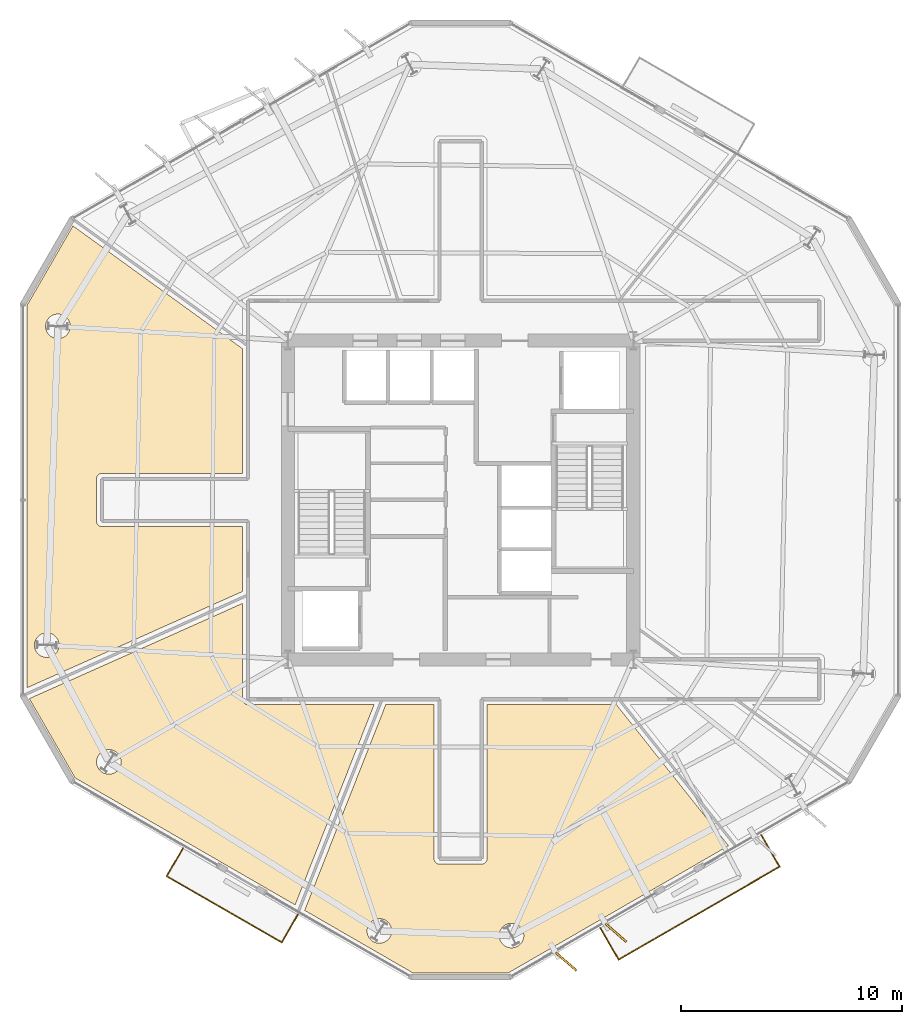
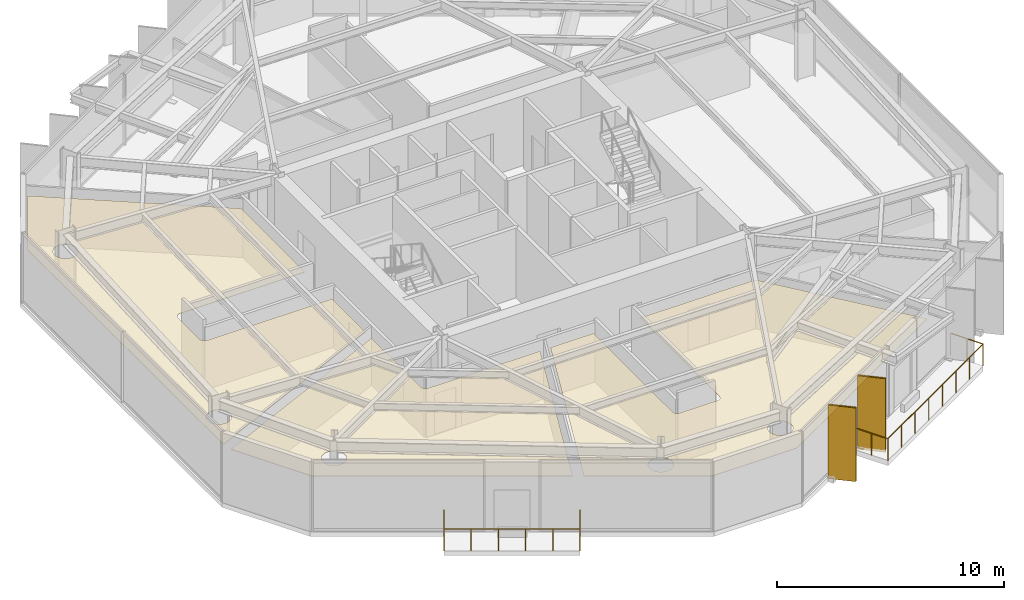
# One storey, part 9 of 11: 5 coverings, 2 railings, 2 shading devices.
"""IFC4 building model written with IfcOpenShell, lengths in metres."""

from ifc_helpers import new_model, si_unit, direction, frame, origin, origin_2d, place, context, subcontext, project, spatial, polyline, rectangle, circle, outline, extrude, material, layer, layer_set, type_object, element, save


model = new_model("IFC4")

# Units and contexts
model_context = context("Model", 3, precision=1e-05, world=origin(), true_north=direction((0.0, 1.0)))
body_context = subcontext(model_context, "Body", "Model", "MODEL_VIEW")
ifc_project = project(units=[si_unit("LENGTHUNIT", "METRE"), si_unit("AREAUNIT", "SQUARE_METRE"), si_unit("VOLUMEUNIT", "CUBIC_METRE"), si_unit("PLANEANGLEUNIT", "RADIAN"), si_unit("MASSUNIT", "GRAM", prefix="KILO")], contexts=[model_context])

# Site, building, storey
site_placement = place(None, origin())
site = spatial("IfcSite", under=ifc_project, at=site_placement, CompositionType="ELEMENT")
building_placement = place(site_placement, origin())
building = spatial("IfcBuilding", under=site, at=building_placement, Name="Kranzbogen Civic Tower", CompositionType="ELEMENT")
storey_placement = place(building_placement, frame((0.0, 0.0, 142.39990234375)))
storey = spatial("IfcBuildingStorey", under=building, at=storey_placement, Name="L34", CompositionType="ELEMENT", Elevation=142.39990234375)

# Coverings
ifc_material_1 = material(Name="Pale Anodised Aluminium", Category="aluminium")
ifc_layer_1 = layer(ifc_material_1, 0.02490234375, Name="Pale Anodised Aluminium")
ifc_layer_set_1 = layer_set([ifc_layer_1], Name="Pale Anodised Aluminium")
covering_type_1 = type_object("IfcCoveringType", Name="Anodised Aluminium Vertical Fin Cladding 25 mm", PredefinedType="CLADDING", material=ifc_layer_set_1)
for number, where, z_axis, x_axis, name in (
    (1, (29.76806640625, 4.14990234375, -0.139892578125), (0.0, 0.0, 1.0), (0.755487675046, -0.655162859794, 0.0), "L34 vertical fin pale-metal cladding F5-1"),
    (2, (32.02001953125, 5.449951171875, -0.139892578125), (0.0, 0.0, 1.0), (0.755487675046, -0.655162859794, 0.0), "L34 vertical fin pale-metal cladding F5-2"),
):
    element("IfcCovering", number, at=place(storey_placement, frame(where, z_axis=z_axis, x_axis=x_axis)), inside=storey, type_object=covering_type_1, Name=name, PredefinedType="CLADDING", context=body_context, shape_type="SweptSolid", body=[
        extrude(rectangle(XDim=1.25, YDim=0.10009765625, at=origin_2d()), origin(), (0.0, 0.0, 1.0), 3.9599609375),
    ])

# Shading devices
ifc_material_2 = material(Name="Anodised Bronze Aluminium", Category="aluminium")
shading_device_type = type_object("IfcShadingDeviceType", Name="Anodised Bronze Vertical Facade Fin 1250x80", PredefinedType="USERDEFINED", material=ifc_material_2)
for number, where, z_axis, x_axis, name in (
    (3, (29.76806640625, 4.14990234375, -0.139892578125), (0.0, 0.0, 1.0), (0.755487675046, -0.655162859794, 0.0), "L34 vertical exterior shading fin F5-1"),
    (4, (32.02001953125, 5.449951171875, -0.139892578125), (0.0, 0.0, 1.0), (0.755487675046, -0.655162859794, 0.0), "L34 vertical exterior shading fin F5-2"),
):
    element("IfcShadingDevice", number, at=place(storey_placement, frame(where, z_axis=z_axis, x_axis=x_axis)), inside=storey, type_object=shading_device_type, Name=name, ObjectType="FIN", PredefinedType="USERDEFINED", context=body_context, shape_type="SweptSolid", body=[
        extrude(rectangle(XDim=1.25, YDim=0.080078125, at=origin_2d()), origin(), (0.0, 0.0, 1.0), 3.9599609375),
    ])

# Railings
railing_type = type_object("IfcRailingType", Name="Cantilevered Balcony Glass and Bronze Balustrade 1200", PredefinedType="BALUSTRADE", material=ifc_material_2)
railing_1_placement = place(storey_placement, frame((12.451904296875, 9.26611328125, 0.0)))
element("IfcRailing", 5, at=railing_1_placement, inside=storey, type_object=railing_type, Name="L34 exterior terrace balustrade L34-TB1", PredefinedType="BALUSTRADE", context=body_context, shape_type="SweptSolid", body=[
    extrude(circle(Radius=0.02392578125, at=origin_2d()), frame((0.0, 0.0, 1.17578125), z_axis=(-0.49981475051, -0.866132331213, 0.0), x_axis=(0.866132331213, -0.49981475051, 0.0)), (0.0, 0.0, 1.0), 1.4501953125),
    extrude(circle(Radius=0.02392578125, at=origin_2d()), frame((-0.724853515625, -1.256103515625, 1.17578125), z_axis=(0.866020924479, -0.500007758305, 0.0), x_axis=(0.500007758305, 0.866020924479, 0.0)), (0.0, 0.0, 1.0), 6.0),
    extrude(circle(Radius=0.02392578125, at=origin_2d()), frame((4.47119140625, -4.256103515625, 1.17578125), z_axis=(0.49981475051, 0.866132331213, 0.0), x_axis=(-0.866132331213, 0.49981475051, 0.0)), (0.0, 0.0, 1.0), 1.4501953125),
    extrude(circle(Radius=0.02099609375, at=origin_2d()), origin(), (0.0, 0.0, 1.0), 1.15185546875),
    extrude(circle(Radius=0.02099609375, at=origin_2d()), frame((-0.3623046875, -0.6279296875, 0.0)), (0.0, 0.0, 1.0), 1.15185546875),
    extrude(circle(Radius=0.02099609375, at=origin_2d()), frame((-0.724853515625, -1.256103515625, 0.0)), (0.0, 0.0, 1.0), 1.15185546875),
    extrude(circle(Radius=0.02099609375, at=origin_2d()), frame((0.314453125, -1.856201171875, 0.0)), (0.0, 0.0, 1.0), 1.15185546875),
    extrude(circle(Radius=0.02099609375, at=origin_2d()), frame((1.353515625, -2.4560546875, 0.0)), (0.0, 0.0, 1.0), 1.15185546875),
    extrude(circle(Radius=0.02099609375, at=origin_2d()), frame((2.392822265625, -3.05615234375, 0.0)), (0.0, 0.0, 1.0), 1.15185546875),
    extrude(circle(Radius=0.02099609375, at=origin_2d()), frame((3.431884765625, -3.656005859375, 0.0)), (0.0, 0.0, 1.0), 1.15185546875),
    extrude(circle(Radius=0.02099609375, at=origin_2d()), frame((4.47119140625, -4.256103515625, 0.0)), (0.0, 0.0, 1.0), 1.15185546875),
    extrude(circle(Radius=0.02099609375, at=origin_2d()), frame((4.83349609375, -3.6279296875, 0.0)), (0.0, 0.0, 1.0), 1.15185546875),
    extrude(circle(Radius=0.02099609375, at=origin_2d()), frame((5.196044921875, -3.0, 0.0)), (0.0, 0.0, 1.0), 1.15185546875),
])
railing_2_placement = place(storey_placement, frame((31.31298828125, 5.666015625, 0.0)))
element("IfcRailing", 6, at=railing_2_placement, inside=storey, type_object=railing_type, Name="L34 exterior terrace balustrade L34-ST", PredefinedType="BALUSTRADE", context=body_context, shape_type="SweptSolid", body=[
    extrude(circle(Radius=0.02392578125, at=origin_2d()), frame((0.0, 0.0, 1.17578125), z_axis=(0.499974350878, -0.866040211805, 0.0), x_axis=(0.866040211805, 0.499974350878, 0.0)), (0.0, 0.0, 1.0), 1.64990234375),
    extrude(circle(Radius=0.02392578125, at=origin_2d()), frame((0.824951171875, -1.428955078125, 1.17578125), z_axis=(0.866014721605, 0.50001850162, 0.0), x_axis=(-0.50001850162, 0.866014721605, 0.0)), (0.0, 0.0, 1.0), 8.399658203125),
    extrude(circle(Radius=0.02392578125, at=origin_2d()), frame((8.09912109375, 2.77099609375, 1.17578125), z_axis=(-0.500085316245, 0.865976140824, 0.0), x_axis=(-0.865976140824, -0.500085316245, 0.0)), (0.0, 0.0, 1.0), 1.650146484375),
    extrude(circle(Radius=0.02099609375, at=origin_2d()), origin(), (0.0, 0.0, 1.0), 1.15185546875),
    extrude(circle(Radius=0.02099609375, at=origin_2d()), frame((0.41259765625, -0.71435546875, 0.0)), (0.0, 0.0, 1.0), 1.15185546875),
    extrude(circle(Radius=0.02099609375, at=origin_2d()), frame((0.824951171875, -1.428955078125, 0.0)), (0.0, 0.0, 1.0), 1.15185546875),
    extrude(circle(Radius=0.02099609375, at=origin_2d()), frame((1.864013671875, -0.828857421875, 0.0)), (0.0, 0.0, 1.0), 1.15185546875),
    extrude(circle(Radius=0.02099609375, at=origin_2d()), frame((2.9033203125, -0.22900390625, 0.0)), (0.0, 0.0, 1.0), 1.15185546875),
    extrude(circle(Radius=0.02099609375, at=origin_2d()), frame((3.9423828125, 0.37109375, 0.0)), (0.0, 0.0, 1.0), 1.15185546875),
    extrude(circle(Radius=0.02099609375, at=origin_2d()), frame((4.981689453125, 0.970947265625, 0.0)), (0.0, 0.0, 1.0), 1.15185546875),
    extrude(circle(Radius=0.02099609375, at=origin_2d()), frame((6.020751953125, 1.571044921875, 0.0)), (0.0, 0.0, 1.0), 1.15185546875),
    extrude(circle(Radius=0.02099609375, at=origin_2d()), frame((7.06005859375, 2.1708984375, 0.0)), (0.0, 0.0, 1.0), 1.15185546875),
    extrude(circle(Radius=0.02099609375, at=origin_2d()), frame((8.09912109375, 2.77099609375, 0.0)), (0.0, 0.0, 1.0), 1.15185546875),
    extrude(circle(Radius=0.02099609375, at=origin_2d()), frame((7.6865234375, 3.4853515625, 0.0)), (0.0, 0.0, 1.0), 1.15185546875),
    extrude(circle(Radius=0.02099609375, at=origin_2d()), frame((7.27392578125, 4.199951171875, 0.0)), (0.0, 0.0, 1.0), 1.15185546875),
])

# Coverings
ifc_material_3 = material(Name="Perforated Acoustic Gypsum Ceiling")
ifc_layer_2 = layer(ifc_material_3, 0.02490234375, Name="Perforated Acoustic Gypsum Ceiling")
ifc_layer_set_2 = layer_set([ifc_layer_2], Name="Perforated Acoustic Gypsum Ceiling")
covering_type_2 = type_object("IfcCoveringType", Name="Perforated Acoustic Mineral Ceiling Tile 25 mm", PredefinedType="CEILING", material=ifc_layer_set_2)
covering_1_placement = place(storey_placement, frame((0.0, 0.0, 2.75)))
element("IfcCovering", 7, at=covering_1_placement, inside=storey, type_object=covering_type_2, Name="L34 Executive Briefing Conference Room acoustic ceiling", PredefinedType="CEILING", context=body_context, shape_type="SweptSolid", body=[
    extrude(outline(polyline([(5.52099609375, 16.029052734375), (15.155029296875, 20.3330078125), (15.155029296875, 16.0), (15.155029296875, 15.990966796875), (15.156005859375, 15.985107421875), (15.156982421875, 15.967041015625), (15.157958984375, 15.9609375), (15.162109375, 15.944091796875), (15.1630859375, 15.93701171875), (15.16796875, 15.919921875), (15.169921875, 15.9140625), (15.177001953125, 15.89794921875), (15.179931640625, 15.89208984375), (15.18798828125, 15.876953125), (15.19189453125, 15.87109375), (15.200927734375, 15.85693359375), (15.205078125, 15.85205078125), (15.216064453125, 15.837890625), (15.220947265625, 15.8330078125), (15.23291015625, 15.821044921875), (15.238037109375, 15.81591796875), (15.251953125, 15.804931640625), (15.257080078125, 15.801025390625), (15.27099609375, 15.7919921875), (15.277099609375, 15.7880859375), (15.2919921875, 15.780029296875), (15.298095703125, 15.777099609375), (15.31396484375, 15.77001953125), (15.320068359375, 15.76806640625), (15.3369140625, 15.762939453125), (15.343994140625, 15.761962890625), (15.361083984375, 15.758056640625), (15.366943359375, 15.757080078125), (15.385009765625, 15.756103515625), (15.39111328125, 15.7548828125), (15.39990234375, 15.7548828125), (21.093017578125, 15.7548828125), (17.528076171875, 6.7109375), (7.587890625, 12.449951171875), (5.52099609375, 16.029052734375)]), holes=[polyline([(9.6259765625, 12.958984375), (9.60302734375, 12.909912109375), (9.574951171875, 12.863037109375), (9.54296875, 12.819091796875), (9.506103515625, 12.779052734375), (9.466064453125, 12.741943359375), (9.422119140625, 12.7099609375), (9.375, 12.681884765625), (9.325927734375, 12.658935546875), (9.27490234375, 12.64111328125), (9.221923828125, 12.626953125), (9.16796875, 12.618896484375), (9.114013671875, 12.616943359375), (9.06005859375, 12.618896484375), (9.006103515625, 12.626953125), (8.952880859375, 12.64111328125), (8.902099609375, 12.658935546875), (8.85302734375, 12.681884765625), (8.805908203125, 12.7099609375), (8.761962890625, 12.741943359375), (8.721923828125, 12.779052734375), (8.68505859375, 12.819091796875), (8.653076171875, 12.863037109375), (8.625, 12.909912109375), (8.60205078125, 12.958984375), (8.583984375, 13.010009765625), (8.570068359375, 13.06298828125), (8.56201171875, 13.116943359375), (8.56005859375, 13.1708984375), (8.56201171875, 13.22509765625), (8.570068359375, 13.279052734375), (8.583984375, 13.33203125), (8.60205078125, 13.383056640625), (8.625, 13.431884765625), (8.653076171875, 13.47900390625), (8.68505859375, 13.52294921875), (8.721923828125, 13.56298828125), (8.761962890625, 13.60009765625), (8.805908203125, 13.632080078125), (8.85302734375, 13.659912109375), (8.902099609375, 13.68310546875), (8.952880859375, 13.700927734375), (9.006103515625, 13.715087890625), (9.06005859375, 13.722900390625), (9.114013671875, 13.72509765625), (9.16796875, 13.722900390625), (9.221923828125, 13.715087890625), (9.27490234375, 13.700927734375), (9.325927734375, 13.68310546875), (9.375, 13.659912109375), (9.422119140625, 13.632080078125), (9.466064453125, 13.60009765625), (9.506103515625, 13.56298828125), (9.54296875, 13.52294921875), (9.574951171875, 13.47900390625), (9.60302734375, 13.431884765625), (9.6259765625, 13.383056640625), (9.64404296875, 13.33203125), (9.657958984375, 13.279052734375), (9.666015625, 13.22509765625), (9.66796875, 13.1708984375), (9.666015625, 13.116943359375), (9.657958984375, 13.06298828125), (9.64404296875, 13.010009765625), (9.6259765625, 12.958984375)])]), origin(), (0.0, 0.0, 1.0), 0.025146484375),
])
covering_2_placement = place(storey_placement, frame((0.0, 0.0, 2.75)))
element("IfcCovering", 8, at=covering_2_placement, inside=storey, type_object=covering_type_2, Name="L34 Parliamentary Review Boardroom acoustic ceiling", PredefinedType="CEILING", context=body_context, shape_type="SweptSolid", body=[
    extrude(outline(polyline([(22.8369140625, 3.64501953125), (17.95703125, 6.462890625), (21.618896484375, 15.7548828125), (23.804931640625, 15.7548828125), (23.804931640625, 8.800048828125), (23.804931640625, 8.791015625), (23.805908203125, 8.784912109375), (23.806884765625, 8.76708984375), (23.80810546875, 8.760986328125), (23.81201171875, 8.743896484375), (23.81298828125, 8.737060546875), (23.818115234375, 8.719970703125), (23.820068359375, 8.714111328125), (23.826904296875, 8.697998046875), (23.830078125, 8.69189453125), (23.837890625, 8.677001953125), (23.842041015625, 8.6708984375), (23.85107421875, 8.656982421875), (23.85498046875, 8.652099609375), (23.865966796875, 8.637939453125), (23.87109375, 8.633056640625), (23.883056640625, 8.62109375), (23.887939453125, 8.615966796875), (23.902099609375, 8.60498046875), (23.906982421875, 8.60107421875), (23.9208984375, 8.592041015625), (23.927001953125, 8.587890625), (23.94189453125, 8.580078125), (23.947998046875, 8.576904296875), (23.964111328125, 8.570068359375), (23.969970703125, 8.568115234375), (23.987060546875, 8.56298828125), (23.993896484375, 8.56201171875), (24.010986328125, 8.55810546875), (24.01708984375, 8.556884765625), (24.034912109375, 8.555908203125), (24.041015625, 8.554931640625), (24.050048828125, 8.554931640625), (25.949951171875, 8.554931640625), (25.958984375, 8.554931640625), (25.965087890625, 8.555908203125), (25.98291015625, 8.556884765625), (25.989013671875, 8.55810546875), (26.006103515625, 8.56201171875), (26.012939453125, 8.56298828125), (26.030029296875, 8.568115234375), (26.035888671875, 8.570068359375), (26.052001953125, 8.576904296875), (26.05810546875, 8.580078125), (26.072998046875, 8.587890625), (26.0791015625, 8.592041015625), (26.093017578125, 8.60107421875), (26.097900390625, 8.60498046875), (26.112060546875, 8.615966796875), (26.116943359375, 8.62109375), (26.12890625, 8.633056640625), (26.134033203125, 8.637939453125), (26.14501953125, 8.652099609375), (26.14892578125, 8.656982421875), (26.157958984375, 8.6708984375), (26.162109375, 8.677001953125), (26.169921875, 8.69189453125), (26.173095703125, 8.697998046875), (26.179931640625, 8.714111328125), (26.181884765625, 8.719970703125), (26.18701171875, 8.737060546875), (26.18798828125, 8.743896484375), (26.19189453125, 8.760986328125), (26.193115234375, 8.76708984375), (26.194091796875, 8.784912109375), (26.195068359375, 8.791015625), (26.195068359375, 8.800048828125), (26.195068359375, 15.7548828125), (32.0380859375, 15.7548828125), (37.10302734375, 9.384033203125), (27.1630859375, 3.64501953125), (22.8369140625, 3.64501953125)]), holes=[polyline([(21.843994140625, 5.323974609375), (21.821044921875, 5.27490234375), (21.79296875, 5.22802734375), (21.760986328125, 5.18408203125), (21.72412109375, 5.14404296875), (21.68408203125, 5.10693359375), (21.639892578125, 5.074951171875), (21.593017578125, 5.047119140625), (21.5439453125, 5.02392578125), (21.492919921875, 5.006103515625), (21.43994140625, 4.991943359375), (21.385986328125, 4.98388671875), (21.33203125, 4.98193359375), (21.278076171875, 4.98388671875), (21.22412109375, 4.991943359375), (21.1708984375, 5.006103515625), (21.1201171875, 5.02392578125), (21.071044921875, 5.047119140625), (21.02392578125, 5.074951171875), (20.97998046875, 5.10693359375), (20.93994140625, 5.14404296875), (20.903076171875, 5.18408203125), (20.87109375, 5.22802734375), (20.843017578125, 5.27490234375), (20.820068359375, 5.323974609375), (20.802001953125, 5.375), (20.7880859375, 5.427978515625), (20.780029296875, 5.48193359375), (20.778076171875, 5.535888671875), (20.780029296875, 5.590087890625), (20.7880859375, 5.64404296875), (20.802001953125, 5.697021484375), (20.820068359375, 5.748046875), (20.843017578125, 5.797119140625), (20.87109375, 5.843994140625), (20.903076171875, 5.887939453125), (20.93994140625, 5.927978515625), (20.97998046875, 5.965087890625), (21.02392578125, 5.9970703125), (21.071044921875, 6.02490234375), (21.1201171875, 6.048095703125), (21.1708984375, 6.06591796875), (21.22412109375, 6.080078125), (21.278076171875, 6.087890625), (21.33203125, 6.090087890625), (21.385986328125, 6.087890625), (21.43994140625, 6.080078125), (21.492919921875, 6.06591796875), (21.5439453125, 6.048095703125), (21.593017578125, 6.02490234375), (21.639892578125, 5.9970703125), (21.68408203125, 5.965087890625), (21.72412109375, 5.927978515625), (21.760986328125, 5.887939453125), (21.79296875, 5.843994140625), (21.821044921875, 5.797119140625), (21.843994140625, 5.748046875), (21.862060546875, 5.697021484375), (21.8759765625, 5.64404296875), (21.884033203125, 5.590087890625), (21.885986328125, 5.535888671875), (21.884033203125, 5.48193359375), (21.8759765625, 5.427978515625), (21.862060546875, 5.375), (21.843994140625, 5.323974609375)]), polyline([(27.81298828125, 5.115966796875), (27.7900390625, 5.06689453125), (27.761962890625, 5.02001953125), (27.72998046875, 4.97607421875), (27.693115234375, 4.93603515625), (27.653076171875, 4.89892578125), (27.60888671875, 4.866943359375), (27.56201171875, 4.839111328125), (27.512939453125, 4.81591796875), (27.4619140625, 4.798095703125), (27.408935546875, 4.783935546875), (27.35498046875, 4.77587890625), (27.301025390625, 4.77392578125), (27.2470703125, 4.77587890625), (27.193115234375, 4.783935546875), (27.139892578125, 4.798095703125), (27.089111328125, 4.81591796875), (27.0400390625, 4.839111328125), (26.992919921875, 4.866943359375), (26.948974609375, 4.89892578125), (26.908935546875, 4.93603515625), (26.8720703125, 4.97607421875), (26.840087890625, 5.02001953125), (26.81201171875, 5.06689453125), (26.7890625, 5.115966796875), (26.77099609375, 5.1669921875), (26.757080078125, 5.219970703125), (26.7490234375, 5.27392578125), (26.7470703125, 5.327880859375), (26.7490234375, 5.382080078125), (26.757080078125, 5.43603515625), (26.77099609375, 5.489013671875), (26.7890625, 5.5400390625), (26.81201171875, 5.589111328125), (26.840087890625, 5.635986328125), (26.8720703125, 5.679931640625), (26.908935546875, 5.719970703125), (26.948974609375, 5.757080078125), (26.992919921875, 5.7890625), (27.0400390625, 5.81689453125), (27.089111328125, 5.840087890625), (27.139892578125, 5.85791015625), (27.193115234375, 5.8720703125), (27.2470703125, 5.8798828125), (27.301025390625, 5.882080078125), (27.35498046875, 5.8798828125), (27.408935546875, 5.8720703125), (27.4619140625, 5.85791015625), (27.512939453125, 5.840087890625), (27.56201171875, 5.81689453125), (27.60888671875, 5.7890625), (27.653076171875, 5.757080078125), (27.693115234375, 5.719970703125), (27.72998046875, 5.679931640625), (27.761962890625, 5.635986328125), (27.7900390625, 5.589111328125), (27.81298828125, 5.5400390625), (27.8310546875, 5.489013671875), (27.844970703125, 5.43603515625), (27.85302734375, 5.382080078125), (27.85498046875, 5.327880859375), (27.85302734375, 5.27392578125), (27.844970703125, 5.219970703125), (27.8310546875, 5.1669921875), (27.81298828125, 5.115966796875)])]), origin(), (0.0, 0.0, 1.0), 0.025146484375),
])
covering_3_placement = place(storey_placement, frame((0.0, 0.0, 2.75)))
element("IfcCovering", 9, at=covering_3_placement, inside=storey, type_object=covering_type_2, Name="L34 Ministerial Policy Office acoustic ceiling", PredefinedType="CEILING", context=body_context, shape_type="SweptSolid", body=[
    extrude(outline(polyline([(7.490966796875, 37.383056640625), (15.155029296875, 31.830078125), (15.155029296875, 26.195068359375), (8.800048828125, 26.195068359375), (8.791015625, 26.195068359375), (8.784912109375, 26.194091796875), (8.76708984375, 26.193115234375), (8.760986328125, 26.19189453125), (8.743896484375, 26.18798828125), (8.737060546875, 26.18701171875), (8.719970703125, 26.181884765625), (8.714111328125, 26.179931640625), (8.697998046875, 26.173095703125), (8.69189453125, 26.169921875), (8.677001953125, 26.162109375), (8.6708984375, 26.157958984375), (8.656982421875, 26.14892578125), (8.652099609375, 26.14501953125), (8.637939453125, 26.134033203125), (8.633056640625, 26.12890625), (8.62109375, 26.116943359375), (8.615966796875, 26.112060546875), (8.60498046875, 26.097900390625), (8.60107421875, 26.093017578125), (8.592041015625, 26.0791015625), (8.587890625, 26.072998046875), (8.580078125, 26.05810546875), (8.576904296875, 26.052001953125), (8.570068359375, 26.035888671875), (8.568115234375, 26.030029296875), (8.56298828125, 26.012939453125), (8.56201171875, 26.006103515625), (8.55810546875, 25.989013671875), (8.556884765625, 25.98291015625), (8.555908203125, 25.965087890625), (8.554931640625, 25.958984375), (8.554931640625, 25.949951171875), (8.554931640625, 24.050048828125), (8.554931640625, 24.041015625), (8.555908203125, 24.034912109375), (8.556884765625, 24.01708984375), (8.55810546875, 24.010986328125), (8.56201171875, 23.993896484375), (8.56298828125, 23.987060546875), (8.568115234375, 23.969970703125), (8.570068359375, 23.964111328125), (8.576904296875, 23.947998046875), (8.580078125, 23.94189453125), (8.587890625, 23.927001953125), (8.592041015625, 23.9208984375), (8.60107421875, 23.906982421875), (8.60498046875, 23.902099609375), (8.615966796875, 23.887939453125), (8.62109375, 23.883056640625), (8.633056640625, 23.87109375), (8.637939453125, 23.865966796875), (8.652099609375, 23.85498046875), (8.656982421875, 23.85107421875), (8.6708984375, 23.842041015625), (8.677001953125, 23.837890625), (8.69189453125, 23.830078125), (8.697998046875, 23.826904296875), (8.714111328125, 23.820068359375), (8.719970703125, 23.818115234375), (8.737060546875, 23.81298828125), (8.743896484375, 23.81201171875), (8.760986328125, 23.80810546875), (8.76708984375, 23.806884765625), (8.784912109375, 23.805908203125), (8.791015625, 23.804931640625), (8.800048828125, 23.804931640625), (15.155029296875, 23.804931640625), (15.155029296875, 20.8701171875), (5.425048828125, 16.52294921875), (5.425048828125, 33.803955078125), (7.490966796875, 37.383056640625)]), holes=[polyline([(6.822021484375, 18.23193359375), (6.799072265625, 18.18310546875), (6.77099609375, 18.135986328125), (6.739013671875, 18.092041015625), (6.701904296875, 18.052001953125), (6.662109375, 18.014892578125), (6.617919921875, 17.98291015625), (6.571044921875, 17.955078125), (6.52197265625, 17.931884765625), (6.470947265625, 17.9140625), (6.41796875, 17.89990234375), (6.364013671875, 17.89208984375), (6.31005859375, 17.889892578125), (6.256103515625, 17.89208984375), (6.201904296875, 17.89990234375), (6.14892578125, 17.9140625), (6.097900390625, 17.931884765625), (6.049072265625, 17.955078125), (6.001953125, 17.98291015625), (5.9580078125, 18.014892578125), (5.91796875, 18.052001953125), (5.881103515625, 18.092041015625), (5.84912109375, 18.135986328125), (5.821044921875, 18.18310546875), (5.798095703125, 18.23193359375), (5.780029296875, 18.282958984375), (5.76611328125, 18.3359375), (5.758056640625, 18.389892578125), (5.756103515625, 18.444091796875), (5.758056640625, 18.498046875), (5.76611328125, 18.552001953125), (5.780029296875, 18.60498046875), (5.798095703125, 18.656005859375), (5.821044921875, 18.705078125), (5.84912109375, 18.751953125), (5.881103515625, 18.7958984375), (5.91796875, 18.8359375), (5.9580078125, 18.873046875), (6.001953125, 18.905029296875), (6.049072265625, 18.93310546875), (6.097900390625, 18.9560546875), (6.14892578125, 18.97412109375), (6.201904296875, 18.988037109375), (6.256103515625, 18.99609375), (6.31005859375, 18.998046875), (6.364013671875, 18.99609375), (6.41796875, 18.988037109375), (6.470947265625, 18.97412109375), (6.52197265625, 18.9560546875), (6.571044921875, 18.93310546875), (6.617919921875, 18.905029296875), (6.662109375, 18.873046875), (6.701904296875, 18.8359375), (6.739013671875, 18.7958984375), (6.77099609375, 18.751953125), (6.799072265625, 18.705078125), (6.822021484375, 18.656005859375), (6.840087890625, 18.60498046875), (6.85400390625, 18.552001953125), (6.862060546875, 18.498046875), (6.864013671875, 18.444091796875), (6.862060546875, 18.389892578125), (6.85400390625, 18.3359375), (6.840087890625, 18.282958984375), (6.822021484375, 18.23193359375)]), polyline([(7.324951171875, 32.632080078125), (7.302001953125, 32.5830078125), (7.27392578125, 32.535888671875), (7.241943359375, 32.491943359375), (7.205078125, 32.451904296875), (7.1650390625, 32.4150390625), (7.12109375, 32.383056640625), (7.073974609375, 32.35498046875), (7.02490234375, 32.33203125), (6.97412109375, 32.31396484375), (6.9208984375, 32.300048828125), (6.866943359375, 32.2919921875), (6.81298828125, 32.2900390625), (6.759033203125, 32.2919921875), (6.705078125, 32.300048828125), (6.652099609375, 32.31396484375), (6.60107421875, 32.33203125), (6.552001953125, 32.35498046875), (6.5048828125, 32.383056640625), (6.4609375, 32.4150390625), (6.4208984375, 32.451904296875), (6.384033203125, 32.491943359375), (6.35205078125, 32.535888671875), (6.323974609375, 32.5830078125), (6.301025390625, 32.632080078125), (6.282958984375, 32.68310546875), (6.26904296875, 32.736083984375), (6.260986328125, 32.7900390625), (6.259033203125, 32.843994140625), (6.260986328125, 32.89794921875), (6.26904296875, 32.951904296875), (6.282958984375, 33.0048828125), (6.301025390625, 33.055908203125), (6.323974609375, 33.10498046875), (6.35205078125, 33.152099609375), (6.384033203125, 33.196044921875), (6.4208984375, 33.236083984375), (6.4609375, 33.27294921875), (6.5048828125, 33.304931640625), (6.552001953125, 33.3330078125), (6.60107421875, 33.35595703125), (6.652099609375, 33.3740234375), (6.705078125, 33.387939453125), (6.759033203125, 33.39599609375), (6.81298828125, 33.39794921875), (6.866943359375, 33.39599609375), (6.9208984375, 33.387939453125), (6.97412109375, 33.3740234375), (7.02490234375, 33.35595703125), (7.073974609375, 33.3330078125), (7.12109375, 33.304931640625), (7.1650390625, 33.27294921875), (7.205078125, 33.236083984375), (7.241943359375, 33.196044921875), (7.27392578125, 33.152099609375), (7.302001953125, 33.10498046875), (7.324951171875, 33.055908203125), (7.343017578125, 33.0048828125), (7.35693359375, 32.951904296875), (7.364990234375, 32.89794921875), (7.366943359375, 32.843994140625), (7.364990234375, 32.7900390625), (7.35693359375, 32.736083984375), (7.343017578125, 32.68310546875), (7.324951171875, 32.632080078125)])]), origin(), (0.0, 0.0, 1.0), 0.025146484375),
])

save(model, "model.ifc")
